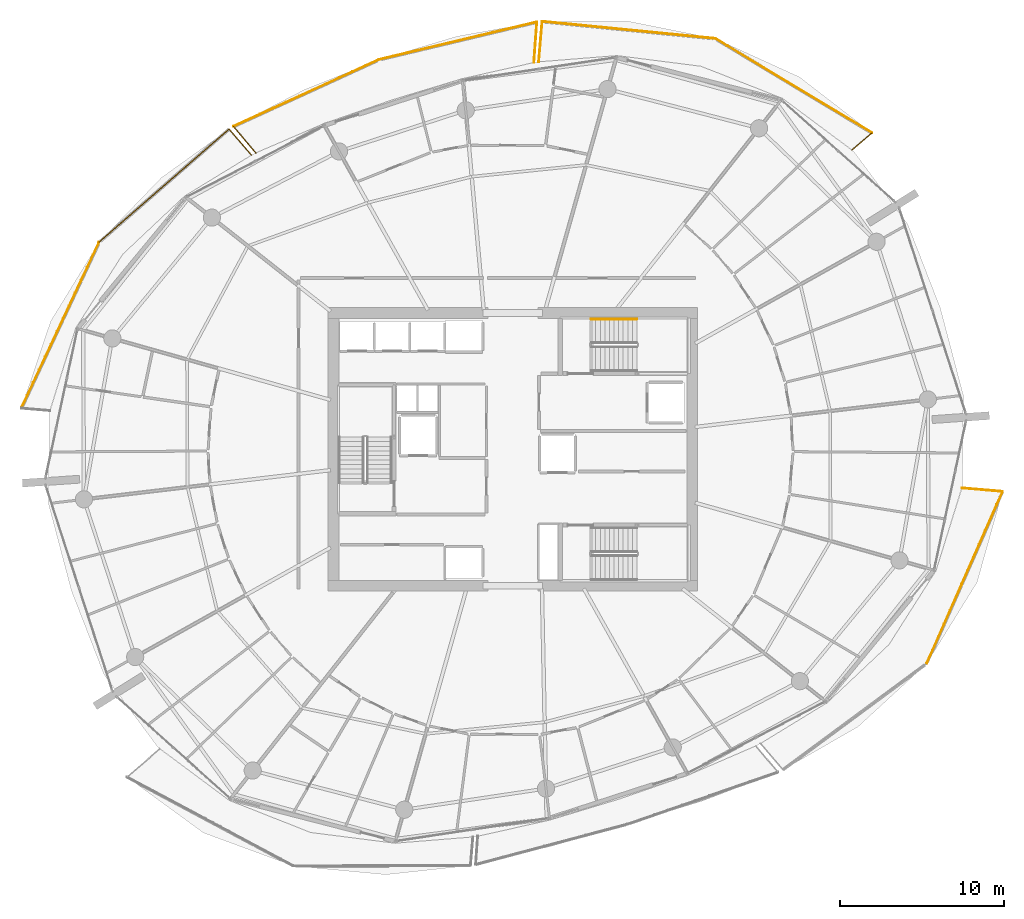
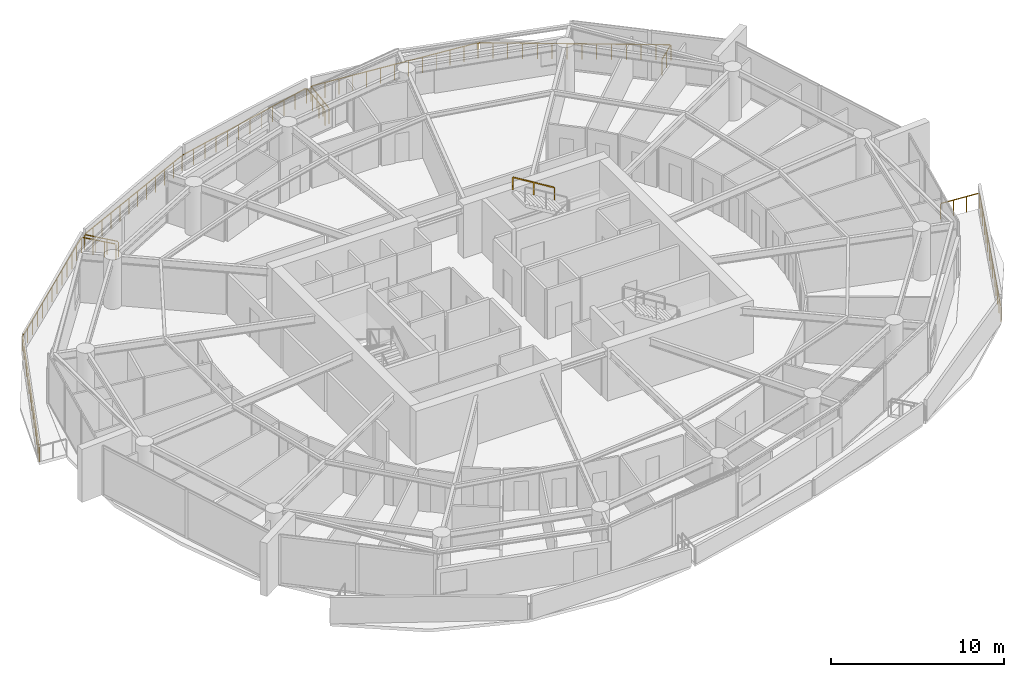
# One storey, part 21 of 21: 14 railings.
"""IFC4 building model written with IfcOpenShell, lengths in metres."""

from ifc_helpers import new_model, si_unit, direction, frame, origin, origin_2d, place, context, subcontext, project, spatial, rectangle, extrude, material, type_object, element, save


model = new_model("IFC4")

# Units and contexts
model_context = context("Model", 3, precision=1e-05, world=origin(), true_north=direction((0.0, 1.0)))
body_context = subcontext(model_context, "Body", "Model", "MODEL_VIEW")
ifc_project = project(units=[si_unit("LENGTHUNIT", "METRE"), si_unit("AREAUNIT", "SQUARE_METRE"), si_unit("VOLUMEUNIT", "CUBIC_METRE"), si_unit("PLANEANGLEUNIT", "RADIAN"), si_unit("MASSUNIT", "GRAM", prefix="KILO")], contexts=[model_context])

# Site, building, storey
site_placement = place(None, origin())
site = spatial("IfcSite", under=ifc_project, at=site_placement, CompositionType="ELEMENT")
building_placement = place(site_placement, origin())
building = spatial("IfcBuilding", under=site, at=building_placement, Name="Kazma Halo Residences", CompositionType="ELEMENT")
storey_placement = place(building_placement, frame((0.0, 0.0, 184.050048828125)))
storey = spatial("IfcBuildingStorey", under=building, at=storey_placement, Name="L46", CompositionType="ELEMENT", Elevation=184.050048828125)

# Railings
ifc_material_1 = material(Name="Aluminium AW-6063 T6 Brushed Cap Rail", Category="aluminium")
railing_type_1 = type_object("IfcRailingType", Name="RLG-BAL-CAP-1120", PredefinedType="BALUSTRADE", material=ifc_material_1)
railing_1_placement = place(storey_placement, frame((69.130126953125, 60.271240234375, 0.0)))
element("IfcRailing", 1, at=railing_1_placement, inside=storey, type_object=railing_type_1, Name="L46 NE wave balcony guard 1", PredefinedType="BALUSTRADE", context=body_context, shape_type="SweptSolid", body=[
    extrude(rectangle(XDim=0.050048828125, YDim=0.050048828125, at=origin_2d()), frame((0.0322265625, 0.02783203125, 1.09521484375), z_axis=(0.75646932185, 0.654029177559, 0.0), x_axis=(-0.654029177559, 0.75646932185, 0.0)), (0.0, 0.0, 1.0), 1.51416015625),
    extrude(rectangle(XDim=0.0400390625, YDim=0.0400390625, at=origin_2d()), origin(), (0.0, 0.0, 1.0), 1.05810546875),
    extrude(rectangle(XDim=0.0400390625, YDim=0.0400390625, at=origin_2d()), frame((0.60498046875, 0.52294921875, 0.0)), (0.0, 0.0, 1.0), 1.05810546875),
    extrude(rectangle(XDim=0.0400390625, YDim=0.0400390625, at=origin_2d()), frame((1.209716796875, 1.0458984375, 0.0)), (0.0, 0.0, 1.0), 1.05810546875),
])
railing_2_placement = place(storey_placement, frame((70.33984375, 61.317138671875, 0.0)))
element("IfcRailing", 2, at=railing_2_placement, inside=storey, type_object=railing_type_1, Name="L46 NE wave balcony guard 2", PredefinedType="BALUSTRADE", context=body_context, shape_type="SweptSolid", body=[
    extrude(rectangle(XDim=0.050048828125, YDim=0.050048828125, at=origin_2d()), frame((-0.036376953125, 0.02197265625, 1.09521484375), z_axis=(-0.856762611856, 0.515710991667, 0.0), x_axis=(-0.515710991667, -0.856762611856, 0.0)), (0.0, 0.0, 1.0), 11.077880859375),
    extrude(rectangle(XDim=0.0400390625, YDim=0.0400390625, at=origin_2d()), origin(), (0.0, 0.0, 1.0), 1.05810546875),
    extrude(rectangle(XDim=0.0400390625, YDim=0.0400390625, at=origin_2d()), frame((-0.735595703125, 0.44287109375, 0.0)), (0.0, 0.0, 1.0), 1.05810546875),
    extrude(rectangle(XDim=0.0400390625, YDim=0.0400390625, at=origin_2d()), frame((-1.471435546875, 0.8857421875, 0.0)), (0.0, 0.0, 1.0), 1.05810546875),
    extrude(rectangle(XDim=0.0400390625, YDim=0.0400390625, at=origin_2d()), frame((-2.20703125, 1.32861328125, 0.0)), (0.0, 0.0, 1.0), 1.05810546875),
    extrude(rectangle(XDim=0.0400390625, YDim=0.0400390625, at=origin_2d()), frame((-2.94287109375, 1.771240234375, 0.0)), (0.0, 0.0, 1.0), 1.05810546875),
    extrude(rectangle(XDim=0.0400390625, YDim=0.0400390625, at=origin_2d()), frame((-3.678466796875, 2.214111328125, 0.0)), (0.0, 0.0, 1.0), 1.05810546875),
    extrude(rectangle(XDim=0.0400390625, YDim=0.0400390625, at=origin_2d()), frame((-4.4140625, 2.656982421875, 0.0)), (0.0, 0.0, 1.0), 1.05810546875),
    extrude(rectangle(XDim=0.0400390625, YDim=0.0400390625, at=origin_2d()), frame((-5.14990234375, 3.099853515625, 0.0)), (0.0, 0.0, 1.0), 1.05810546875),
    extrude(rectangle(XDim=0.0400390625, YDim=0.0400390625, at=origin_2d()), frame((-5.885498046875, 3.542724609375, 0.0)), (0.0, 0.0, 1.0), 1.05810546875),
    extrude(rectangle(XDim=0.0400390625, YDim=0.0400390625, at=origin_2d()), frame((-6.62109375, 3.985595703125, 0.0)), (0.0, 0.0, 1.0), 1.05810546875),
    extrude(rectangle(XDim=0.0400390625, YDim=0.0400390625, at=origin_2d()), frame((-7.35693359375, 4.42822265625, 0.0)), (0.0, 0.0, 1.0), 1.05810546875),
    extrude(rectangle(XDim=0.0400390625, YDim=0.0400390625, at=origin_2d()), frame((-8.092529296875, 4.87109375, 0.0)), (0.0, 0.0, 1.0), 1.05810546875),
    extrude(rectangle(XDim=0.0400390625, YDim=0.0400390625, at=origin_2d()), frame((-8.828369140625, 5.31396484375, 0.0)), (0.0, 0.0, 1.0), 1.05810546875),
    extrude(rectangle(XDim=0.0400390625, YDim=0.0400390625, at=origin_2d()), frame((-9.56396484375, 5.7568359375, 0.0)), (0.0, 0.0, 1.0), 1.05810546875),
])
railing_3_placement = place(storey_placement, frame((60.77587890625, 67.073974609375, 0.0)))
element("IfcRailing", 3, at=railing_3_placement, inside=storey, type_object=railing_type_1, Name="L46 NE wave balcony guard 3", PredefinedType="BALUSTRADE", context=body_context, shape_type="SweptSolid", body=[
    extrude(rectangle(XDim=0.050048828125, YDim=0.050048828125, at=origin_2d()), frame((-0.042236328125, 0.004150390625, 1.09521484375), z_axis=(-0.995155616271, 0.098312254603, 0.0), x_axis=(-0.098312254603, -0.995155616271, 0.0)), (0.0, 0.0, 1.0), 10.526123046875),
    extrude(rectangle(XDim=0.0400390625, YDim=0.0400390625, at=origin_2d()), origin(), (0.0, 0.0, 1.0), 1.05810546875),
    extrude(rectangle(XDim=0.0400390625, YDim=0.0400390625, at=origin_2d()), frame((-0.8798828125, 0.0869140625, 0.0)), (0.0, 0.0, 1.0), 1.05810546875),
    extrude(rectangle(XDim=0.0400390625, YDim=0.0400390625, at=origin_2d()), frame((-1.760009765625, 0.173828125, 0.0)), (0.0, 0.0, 1.0), 1.05810546875),
    extrude(rectangle(XDim=0.0400390625, YDim=0.0400390625, at=origin_2d()), frame((-2.639892578125, 0.2607421875, 0.0)), (0.0, 0.0, 1.0), 1.05810546875),
    extrude(rectangle(XDim=0.0400390625, YDim=0.0400390625, at=origin_2d()), frame((-3.52001953125, 0.34765625, 0.0)), (0.0, 0.0, 1.0), 1.05810546875),
    extrude(rectangle(XDim=0.0400390625, YDim=0.0400390625, at=origin_2d()), frame((-4.39990234375, 0.4345703125, 0.0)), (0.0, 0.0, 1.0), 1.05810546875),
    extrude(rectangle(XDim=0.0400390625, YDim=0.0400390625, at=origin_2d()), frame((-5.27978515625, 0.521484375, 0.0)), (0.0, 0.0, 1.0), 1.05810546875),
    extrude(rectangle(XDim=0.0400390625, YDim=0.0400390625, at=origin_2d()), frame((-6.159912109375, 0.608642578125, 0.0)), (0.0, 0.0, 1.0), 1.05810546875),
    extrude(rectangle(XDim=0.0400390625, YDim=0.0400390625, at=origin_2d()), frame((-7.039794921875, 0.695556640625, 0.0)), (0.0, 0.0, 1.0), 1.05810546875),
    extrude(rectangle(XDim=0.0400390625, YDim=0.0400390625, at=origin_2d()), frame((-7.919921875, 0.782470703125, 0.0)), (0.0, 0.0, 1.0), 1.05810546875),
    extrude(rectangle(XDim=0.0400390625, YDim=0.0400390625, at=origin_2d()), frame((-8.7998046875, 0.869384765625, 0.0)), (0.0, 0.0, 1.0), 1.05810546875),
    extrude(rectangle(XDim=0.0400390625, YDim=0.0400390625, at=origin_2d()), frame((-9.679931640625, 0.956298828125, 0.0)), (0.0, 0.0, 1.0), 1.05810546875),
    extrude(rectangle(XDim=0.0400390625, YDim=0.0400390625, at=origin_2d()), frame((-10.559814453125, 1.043212890625, 0.0)), (0.0, 0.0, 1.0), 1.05810546875),
])
railing_4_placement = place(storey_placement, frame((50.216064453125, 68.1171875, 0.0)))
element("IfcRailing", 4, at=railing_4_placement, inside=storey, type_object=railing_type_1, Name="L46 NE wave balcony guard 4", PredefinedType="BALUSTRADE", context=body_context, shape_type="SweptSolid", body=[
    extrude(rectangle(XDim=0.050048828125, YDim=0.050048828125, at=origin_2d()), frame((-0.003662109375, -0.04248046875, 1.09521484375), z_axis=(-0.084607744457, -0.996414336297, 0.0), x_axis=(0.996414336297, -0.084607744457, 0.0)), (0.0, 0.0, 1.0), 2.385009765625),
    extrude(rectangle(XDim=0.0400390625, YDim=0.0400390625, at=origin_2d()), origin(), (0.0, 0.0, 1.0), 1.05810546875),
    extrude(rectangle(XDim=0.0400390625, YDim=0.0400390625, at=origin_2d()), frame((-0.069580078125, -0.8203125, 0.0)), (0.0, 0.0, 1.0), 1.05810546875),
    extrude(rectangle(XDim=0.0400390625, YDim=0.0400390625, at=origin_2d()), frame((-0.139404296875, -1.640869140625, 0.0)), (0.0, 0.0, 1.0), 1.05810546875),
    extrude(rectangle(XDim=0.0400390625, YDim=0.0400390625, at=origin_2d()), frame((-0.208984375, -2.461181640625, 0.0)), (0.0, 0.0, 1.0), 1.05810546875),
])
railing_5_placement = place(storey_placement, frame((49.713134765625, 65.612060546875, 0.0)))
element("IfcRailing", 5, at=railing_5_placement, inside=storey, type_object=railing_type_1, Name="L46 NNW wave balcony guard 1", PredefinedType="BALUSTRADE", context=body_context, shape_type="SweptSolid", body=[
    extrude(rectangle(XDim=0.050048828125, YDim=0.050048828125, at=origin_2d()), frame((0.003173828125, 0.04248046875, 1.09521484375), z_axis=(0.072387851321, 0.997376558267, 0.0), x_axis=(-0.997376558267, 0.072387851321, 0.0)), (0.0, 0.0, 1.0), 2.393798828125),
    extrude(rectangle(XDim=0.0400390625, YDim=0.0400390625, at=origin_2d()), origin(), (0.0, 0.0, 1.0), 1.05810546875),
    extrude(rectangle(XDim=0.0400390625, YDim=0.0400390625, at=origin_2d()), frame((0.059814453125, 0.82421875, 0.0)), (0.0, 0.0, 1.0), 1.05810546875),
    extrude(rectangle(XDim=0.0400390625, YDim=0.0400390625, at=origin_2d()), frame((0.11962890625, 1.648193359375, 0.0)), (0.0, 0.0, 1.0), 1.05810546875),
    extrude(rectangle(XDim=0.0400390625, YDim=0.0400390625, at=origin_2d()), frame((0.179443359375, 2.472412109375, 0.0)), (0.0, 0.0, 1.0), 1.05810546875),
])
railing_6_placement = place(storey_placement, frame((49.892578125, 68.08447265625, 0.0)))
element("IfcRailing", 6, at=railing_6_placement, inside=storey, type_object=railing_type_1, Name="L46 NNW wave balcony guard 2", PredefinedType="BALUSTRADE", context=body_context, shape_type="SweptSolid", body=[
    extrude(rectangle(XDim=0.050048828125, YDim=0.050048828125, at=origin_2d()), frame((-0.04150390625, -0.009765625, 1.09521484375), z_axis=(-0.972746600398, -0.231870764468, 0.0), x_axis=(0.231870764468, -0.972746600398, 0.0)), (0.0, 0.0, 1.0), 9.80712890625),
    extrude(rectangle(XDim=0.0400390625, YDim=0.0400390625, at=origin_2d()), origin(), (0.0, 0.0, 1.0), 1.05810546875),
    extrude(rectangle(XDim=0.0400390625, YDim=0.0400390625, at=origin_2d()), frame((-0.874755859375, -0.20849609375, 0.0)), (0.0, 0.0, 1.0), 1.05810546875),
    extrude(rectangle(XDim=0.0400390625, YDim=0.0400390625, at=origin_2d()), frame((-1.74951171875, -0.4169921875, 0.0)), (0.0, 0.0, 1.0), 1.05810546875),
    extrude(rectangle(XDim=0.0400390625, YDim=0.0400390625, at=origin_2d()), frame((-2.624267578125, -0.62548828125, 0.0)), (0.0, 0.0, 1.0), 1.05810546875),
    extrude(rectangle(XDim=0.0400390625, YDim=0.0400390625, at=origin_2d()), frame((-3.4990234375, -0.833984375, 0.0)), (0.0, 0.0, 1.0), 1.05810546875),
    extrude(rectangle(XDim=0.0400390625, YDim=0.0400390625, at=origin_2d()), frame((-4.373779296875, -1.04248046875, 0.0)), (0.0, 0.0, 1.0), 1.05810546875),
    extrude(rectangle(XDim=0.0400390625, YDim=0.0400390625, at=origin_2d()), frame((-5.248779296875, -1.251220703125, 0.0)), (0.0, 0.0, 1.0), 1.05810546875),
    extrude(rectangle(XDim=0.0400390625, YDim=0.0400390625, at=origin_2d()), frame((-6.12353515625, -1.459716796875, 0.0)), (0.0, 0.0, 1.0), 1.05810546875),
    extrude(rectangle(XDim=0.0400390625, YDim=0.0400390625, at=origin_2d()), frame((-6.998291015625, -1.668212890625, 0.0)), (0.0, 0.0, 1.0), 1.05810546875),
    extrude(rectangle(XDim=0.0400390625, YDim=0.0400390625, at=origin_2d()), frame((-7.873046875, -1.876708984375, 0.0)), (0.0, 0.0, 1.0), 1.05810546875),
    extrude(rectangle(XDim=0.0400390625, YDim=0.0400390625, at=origin_2d()), frame((-8.747802734375, -2.085205078125, 0.0)), (0.0, 0.0, 1.0), 1.05810546875),
    extrude(rectangle(XDim=0.0400390625, YDim=0.0400390625, at=origin_2d()), frame((-9.62255859375, -2.293701171875, 0.0)), (0.0, 0.0, 1.0), 1.05810546875),
])
railing_7_placement = place(storey_placement, frame((40.27001953125, 65.790771484375, 0.0)))
element("IfcRailing", 7, at=railing_7_placement, inside=storey, type_object=railing_type_1, Name="L46 NNW wave balcony guard 3", PredefinedType="BALUSTRADE", context=body_context, shape_type="SweptSolid", body=[
    extrude(rectangle(XDim=0.050048828125, YDim=0.050048828125, at=origin_2d()), frame((-0.03857421875, -0.017822265625, 1.09521484375), z_axis=(-0.909021519083, -0.416749178576, 0.0), x_axis=(0.416749178576, -0.909021519083, 0.0)), (0.0, 0.0, 1.0), 9.703369140625),
    extrude(rectangle(XDim=0.0400390625, YDim=0.0400390625, at=origin_2d()), origin(), (0.0, 0.0, 1.0), 1.05810546875),
    extrude(rectangle(XDim=0.0400390625, YDim=0.0400390625, at=origin_2d()), frame((-0.808837890625, -0.370849609375, 0.0)), (0.0, 0.0, 1.0), 1.05810546875),
    extrude(rectangle(XDim=0.0400390625, YDim=0.0400390625, at=origin_2d()), frame((-1.617919921875, -0.74169921875, 0.0)), (0.0, 0.0, 1.0), 1.05810546875),
    extrude(rectangle(XDim=0.0400390625, YDim=0.0400390625, at=origin_2d()), frame((-2.4267578125, -1.112548828125, 0.0)), (0.0, 0.0, 1.0), 1.05810546875),
    extrude(rectangle(XDim=0.0400390625, YDim=0.0400390625, at=origin_2d()), frame((-3.235595703125, -1.4833984375, 0.0)), (0.0, 0.0, 1.0), 1.05810546875),
    extrude(rectangle(XDim=0.0400390625, YDim=0.0400390625, at=origin_2d()), frame((-4.04443359375, -1.854248046875, 0.0)), (0.0, 0.0, 1.0), 1.05810546875),
    extrude(rectangle(XDim=0.0400390625, YDim=0.0400390625, at=origin_2d()), frame((-4.853515625, -2.22509765625, 0.0)), (0.0, 0.0, 1.0), 1.05810546875),
    extrude(rectangle(XDim=0.0400390625, YDim=0.0400390625, at=origin_2d()), frame((-5.662353515625, -2.595947265625, 0.0)), (0.0, 0.0, 1.0), 1.05810546875),
    extrude(rectangle(XDim=0.0400390625, YDim=0.0400390625, at=origin_2d()), frame((-6.47119140625, -2.966796875, 0.0)), (0.0, 0.0, 1.0), 1.05810546875),
    extrude(rectangle(XDim=0.0400390625, YDim=0.0400390625, at=origin_2d()), frame((-7.280029296875, -3.337646484375, 0.0)), (0.0, 0.0, 1.0), 1.05810546875),
    extrude(rectangle(XDim=0.0400390625, YDim=0.0400390625, at=origin_2d()), frame((-8.089111328125, -3.70849609375, 0.0)), (0.0, 0.0, 1.0), 1.05810546875),
    extrude(rectangle(XDim=0.0400390625, YDim=0.0400390625, at=origin_2d()), frame((-8.89794921875, -4.079345703125, 0.0)), (0.0, 0.0, 1.0), 1.05810546875),
])
railing_8_placement = place(storey_placement, frame((31.3720703125, 61.71142578125, 0.0)))
element("IfcRailing", 8, at=railing_8_placement, inside=storey, type_object=railing_type_1, Name="L46 NNW wave balcony guard 4", PredefinedType="BALUSTRADE", context=body_context, shape_type="SweptSolid", body=[
    extrude(rectangle(XDim=0.050048828125, YDim=0.050048828125, at=origin_2d()), frame((0.02734375, -0.032470703125, 1.09521484375), z_axis=(0.644750769237, -0.764392860752, 0.0), x_axis=(0.764392860752, 0.644750769237, 0.0)), (0.0, 0.0, 1.0), 2.029052734375),
    extrude(rectangle(XDim=0.0400390625, YDim=0.0400390625, at=origin_2d()), origin(), (0.0, 0.0, 1.0), 1.05810546875),
    extrude(rectangle(XDim=0.0400390625, YDim=0.0400390625, at=origin_2d()), frame((0.454345703125, -0.53857421875, 0.0)), (0.0, 0.0, 1.0), 1.05810546875),
    extrude(rectangle(XDim=0.0400390625, YDim=0.0400390625, at=origin_2d()), frame((0.90869140625, -1.077392578125, 0.0)), (0.0, 0.0, 1.0), 1.05810546875),
    extrude(rectangle(XDim=0.0400390625, YDim=0.0400390625, at=origin_2d()), frame((1.363037109375, -1.615966796875, 0.0)), (0.0, 0.0, 1.0), 1.05810546875),
])
railing_9_placement = place(storey_placement, frame((32.471435546875, 59.958251953125, 0.0)))
element("IfcRailing", 9, at=railing_9_placement, inside=storey, type_object=railing_type_1, Name="L46 NW wave balcony guard 1", PredefinedType="BALUSTRADE", context=body_context, shape_type="SweptSolid", body=[
    extrude(rectangle(XDim=0.050048828125, YDim=0.050048828125, at=origin_2d()), frame((-0.02783203125, 0.0322265625, 1.09521484375), z_axis=(-0.654089003035, 0.756417593733, 0.0), x_axis=(-0.756417593733, -0.654089003035, 0.0)), (0.0, 0.0, 1.0), 2.014404296875),
    extrude(rectangle(XDim=0.0400390625, YDim=0.0400390625, at=origin_2d()), origin(), (0.0, 0.0, 1.0), 1.05810546875),
    extrude(rectangle(XDim=0.0400390625, YDim=0.0400390625, at=origin_2d()), frame((-0.457763671875, 0.529296875, 0.0)), (0.0, 0.0, 1.0), 1.05810546875),
    extrude(rectangle(XDim=0.0400390625, YDim=0.0400390625, at=origin_2d()), frame((-0.91552734375, 1.058837890625, 0.0)), (0.0, 0.0, 1.0), 1.05810546875),
    extrude(rectangle(XDim=0.0400390625, YDim=0.0400390625, at=origin_2d()), frame((-1.373291015625, 1.588134765625, 0.0)), (0.0, 0.0, 1.0), 1.05810546875),
])
railing_10_placement = place(storey_placement, frame((31.09814453125, 61.54638671875, 0.0)))
element("IfcRailing", 10, at=railing_10_placement, inside=storey, type_object=railing_type_1, Name="L46 NW wave balcony guard 2", PredefinedType="BALUSTRADE", context=body_context, shape_type="SweptSolid", body=[
    extrude(rectangle(XDim=0.050048828125, YDim=0.050048828125, at=origin_2d()), frame((-0.031982421875, -0.02783203125, 1.09521484375), z_axis=(-0.754132466244, -0.65672233353, 0.0), x_axis=(0.65672233353, -0.754132466244, 0.0)), (0.0, 0.0, 1.0), 10.4189453125),
    extrude(rectangle(XDim=0.0400390625, YDim=0.0400390625, at=origin_2d()), origin(), (0.0, 0.0, 1.0), 1.05810546875),
    extrude(rectangle(XDim=0.0400390625, YDim=0.0400390625, at=origin_2d()), frame((-0.66015625, -0.574951171875, 0.0)), (0.0, 0.0, 1.0), 1.05810546875),
    extrude(rectangle(XDim=0.0400390625, YDim=0.0400390625, at=origin_2d()), frame((-1.3203125, -1.149658203125, 0.0)), (0.0, 0.0, 1.0), 1.05810546875),
    extrude(rectangle(XDim=0.0400390625, YDim=0.0400390625, at=origin_2d()), frame((-1.98046875, -1.724609375, 0.0)), (0.0, 0.0, 1.0), 1.05810546875),
    extrude(rectangle(XDim=0.0400390625, YDim=0.0400390625, at=origin_2d()), frame((-2.640380859375, -2.29931640625, 0.0)), (0.0, 0.0, 1.0), 1.05810546875),
    extrude(rectangle(XDim=0.0400390625, YDim=0.0400390625, at=origin_2d()), frame((-3.300537109375, -2.874267578125, 0.0)), (0.0, 0.0, 1.0), 1.05810546875),
    extrude(rectangle(XDim=0.0400390625, YDim=0.0400390625, at=origin_2d()), frame((-3.960693359375, -3.44921875, 0.0)), (0.0, 0.0, 1.0), 1.05810546875),
    extrude(rectangle(XDim=0.0400390625, YDim=0.0400390625, at=origin_2d()), frame((-4.620849609375, -4.02392578125, 0.0)), (0.0, 0.0, 1.0), 1.05810546875),
    extrude(rectangle(XDim=0.0400390625, YDim=0.0400390625, at=origin_2d()), frame((-5.281005859375, -4.598876953125, 0.0)), (0.0, 0.0, 1.0), 1.05810546875),
    extrude(rectangle(XDim=0.0400390625, YDim=0.0400390625, at=origin_2d()), frame((-5.94091796875, -5.173583984375, 0.0)), (0.0, 0.0, 1.0), 1.05810546875),
    extrude(rectangle(XDim=0.0400390625, YDim=0.0400390625, at=origin_2d()), frame((-6.60107421875, -5.74853515625, 0.0)), (0.0, 0.0, 1.0), 1.05810546875),
    extrude(rectangle(XDim=0.0400390625, YDim=0.0400390625, at=origin_2d()), frame((-7.26123046875, -6.3232421875, 0.0)), (0.0, 0.0, 1.0), 1.05810546875),
    extrude(rectangle(XDim=0.0400390625, YDim=0.0400390625, at=origin_2d()), frame((-7.92138671875, -6.898193359375, 0.0)), (0.0, 0.0, 1.0), 1.05810546875),
])
railing_11_placement = place(storey_placement, frame((23.1767578125, 54.648193359375, 0.0)))
element("IfcRailing", 11, at=railing_11_placement, inside=storey, type_object=railing_type_1, Name="L46 NW wave balcony guard 3", PredefinedType="BALUSTRADE", context=body_context, shape_type="SweptSolid", body=[
    extrude(rectangle(XDim=0.050048828125, YDim=0.050048828125, at=origin_2d()), frame((-0.01806640625, -0.03857421875, 1.09521484375), z_axis=(-0.424188601935, -0.90557386777, 0.0), x_axis=(0.90557386777, -0.424188601935, 0.0)), (0.0, 0.0, 1.0), 11.111083984375),
    extrude(rectangle(XDim=0.0400390625, YDim=0.0400390625, at=origin_2d()), origin(), (0.0, 0.0, 1.0), 1.05810546875),
    extrude(rectangle(XDim=0.0400390625, YDim=0.0400390625, at=origin_2d()), frame((-0.365234375, -0.780029296875, 0.0)), (0.0, 0.0, 1.0), 1.05810546875),
    extrude(rectangle(XDim=0.0400390625, YDim=0.0400390625, at=origin_2d()), frame((-0.730712890625, -1.559814453125, 0.0)), (0.0, 0.0, 1.0), 1.05810546875),
    extrude(rectangle(XDim=0.0400390625, YDim=0.0400390625, at=origin_2d()), frame((-1.095947265625, -2.33984375, 0.0)), (0.0, 0.0, 1.0), 1.05810546875),
    extrude(rectangle(XDim=0.0400390625, YDim=0.0400390625, at=origin_2d()), frame((-1.46142578125, -3.11962890625, 0.0)), (0.0, 0.0, 1.0), 1.05810546875),
    extrude(rectangle(XDim=0.0400390625, YDim=0.0400390625, at=origin_2d()), frame((-1.82666015625, -3.899658203125, 0.0)), (0.0, 0.0, 1.0), 1.05810546875),
    extrude(rectangle(XDim=0.0400390625, YDim=0.0400390625, at=origin_2d()), frame((-2.19189453125, -4.679443359375, 0.0)), (0.0, 0.0, 1.0), 1.05810546875),
    extrude(rectangle(XDim=0.0400390625, YDim=0.0400390625, at=origin_2d()), frame((-2.557373046875, -5.45947265625, 0.0)), (0.0, 0.0, 1.0), 1.05810546875),
    extrude(rectangle(XDim=0.0400390625, YDim=0.0400390625, at=origin_2d()), frame((-2.922607421875, -6.2392578125, 0.0)), (0.0, 0.0, 1.0), 1.05810546875),
    extrude(rectangle(XDim=0.0400390625, YDim=0.0400390625, at=origin_2d()), frame((-3.287841796875, -7.019287109375, 0.0)), (0.0, 0.0, 1.0), 1.05810546875),
    extrude(rectangle(XDim=0.0400390625, YDim=0.0400390625, at=origin_2d()), frame((-3.6533203125, -7.799072265625, 0.0)), (0.0, 0.0, 1.0), 1.05810546875),
    extrude(rectangle(XDim=0.0400390625, YDim=0.0400390625, at=origin_2d()), frame((-4.0185546875, -8.5791015625, 0.0)), (0.0, 0.0, 1.0), 1.05810546875),
    extrude(rectangle(XDim=0.0400390625, YDim=0.0400390625, at=origin_2d()), frame((-4.384033203125, -9.35888671875, 0.0)), (0.0, 0.0, 1.0), 1.05810546875),
    extrude(rectangle(XDim=0.0400390625, YDim=0.0400390625, at=origin_2d()), frame((-4.749267578125, -10.138916015625, 0.0)), (0.0, 0.0, 1.0), 1.05810546875),
])
railing_12_placement = place(storey_placement, frame((73.679443359375, 28.915771484375, 0.0)))
element("IfcRailing", 12, at=railing_12_placement, inside=storey, type_object=railing_type_1, Name="L46 SE wave balcony guard 3", PredefinedType="BALUSTRADE", context=body_context, shape_type="SweptSolid", body=[
    extrude(rectangle(XDim=0.050048828125, YDim=0.050048828125, at=origin_2d()), frame((0.01708984375, 0.038818359375, 1.09521484375), z_axis=(0.403759476519, 0.914865173193, 0.0), x_axis=(-0.914865173193, 0.403759476519, 0.0)), (0.0, 0.0, 1.0), 11.40478515625),
    extrude(rectangle(XDim=0.0400390625, YDim=0.0400390625, at=origin_2d()), origin(), (0.0, 0.0, 1.0), 1.05810546875),
    extrude(rectangle(XDim=0.0400390625, YDim=0.0400390625, at=origin_2d()), frame((0.35693359375, 0.80859375, 0.0)), (0.0, 0.0, 1.0), 1.05810546875),
    extrude(rectangle(XDim=0.0400390625, YDim=0.0400390625, at=origin_2d()), frame((0.713623046875, 1.6171875, 0.0)), (0.0, 0.0, 1.0), 1.05810546875),
    extrude(rectangle(XDim=0.0400390625, YDim=0.0400390625, at=origin_2d()), frame((1.070556640625, 2.42578125, 0.0)), (0.0, 0.0, 1.0), 1.05810546875),
    extrude(rectangle(XDim=0.0400390625, YDim=0.0400390625, at=origin_2d()), frame((1.427490234375, 3.234375, 0.0)), (0.0, 0.0, 1.0), 1.05810546875),
    extrude(rectangle(XDim=0.0400390625, YDim=0.0400390625, at=origin_2d()), frame((1.7841796875, 4.04296875, 0.0)), (0.0, 0.0, 1.0), 1.05810546875),
    extrude(rectangle(XDim=0.0400390625, YDim=0.0400390625, at=origin_2d()), frame((2.14111328125, 4.8515625, 0.0)), (0.0, 0.0, 1.0), 1.05810546875),
    extrude(rectangle(XDim=0.0400390625, YDim=0.0400390625, at=origin_2d()), frame((2.498046875, 5.66015625, 0.0)), (0.0, 0.0, 1.0), 1.05810546875),
    extrude(rectangle(XDim=0.0400390625, YDim=0.0400390625, at=origin_2d()), frame((2.85498046875, 6.46875, 0.0)), (0.0, 0.0, 1.0), 1.05810546875),
    extrude(rectangle(XDim=0.0400390625, YDim=0.0400390625, at=origin_2d()), frame((3.211669921875, 7.27734375, 0.0)), (0.0, 0.0, 1.0), 1.05810546875),
    extrude(rectangle(XDim=0.0400390625, YDim=0.0400390625, at=origin_2d()), frame((3.568603515625, 8.0859375, 0.0)), (0.0, 0.0, 1.0), 1.05810546875),
    extrude(rectangle(XDim=0.0400390625, YDim=0.0400390625, at=origin_2d()), frame((3.925537109375, 8.89453125, 0.0)), (0.0, 0.0, 1.0), 1.05810546875),
    extrude(rectangle(XDim=0.0400390625, YDim=0.0400390625, at=origin_2d()), frame((4.2822265625, 9.703125, 0.0)), (0.0, 0.0, 1.0), 1.05810546875),
    extrude(rectangle(XDim=0.0400390625, YDim=0.0400390625, at=origin_2d()), frame((4.63916015625, 10.51171875, 0.0)), (0.0, 0.0, 1.0), 1.05810546875),
])
railing_13_placement = place(storey_placement, frame((78.318603515625, 39.427490234375, 0.0)))
element("IfcRailing", 13, at=railing_13_placement, inside=storey, type_object=railing_type_1, Name="L46 SE wave balcony guard 4", PredefinedType="BALUSTRADE", context=body_context, shape_type="SweptSolid", body=[
    extrude(rectangle(XDim=0.050048828125, YDim=0.050048828125, at=origin_2d()), frame((-0.04248046875, 0.003662109375, 1.09521484375), z_axis=(-0.996423136174, 0.084504045452, 0.0), x_axis=(-0.084504045452, -0.996423136174, 0.0)), (0.0, 0.0, 1.0), 2.408203125),
    extrude(rectangle(XDim=0.0400390625, YDim=0.0400390625, at=origin_2d()), origin(), (0.0, 0.0, 1.0), 1.05810546875),
    extrude(rectangle(XDim=0.0400390625, YDim=0.0400390625, at=origin_2d()), frame((-0.828125, 0.0703125, 0.0)), (0.0, 0.0, 1.0), 1.05810546875),
    extrude(rectangle(XDim=0.0400390625, YDim=0.0400390625, at=origin_2d()), frame((-1.65625, 0.140380859375, 0.0)), (0.0, 0.0, 1.0), 1.05810546875),
    extrude(rectangle(XDim=0.0400390625, YDim=0.0400390625, at=origin_2d()), frame((-2.484375, 0.210693359375, 0.0)), (0.0, 0.0, 1.0), 1.05810546875),
])
ifc_material_2 = material(Name="Brushed Stainless Steel", Category="steel")
railing_type_2 = type_object("IfcRailingType", Name="RLG-STAIR-HND-900", PredefinedType="HANDRAIL", material=ifc_material_2)
railing_14_placement = place(storey_placement, frame((56.0, 49.949951171875, 2.04541015625)))
element("IfcRailing", 14, at=railing_14_placement, inside=storey, type_object=railing_type_2, Name="L46 ST-02 stair handrail 2", PredefinedType="HANDRAIL", context=body_context, shape_type="SweptSolid", body=[
    extrude(rectangle(XDim=0.050048828125, YDim=0.050048828125, at=origin_2d()), frame((-0.036376953125, 0.0, 0.89697265625), z_axis=(-0.854169791009, 0.0, 0.51999420009), x_axis=(0.0, -1.0, 0.0)), (0.0, 0.0, 1.0), 3.193115234375),
    extrude(rectangle(XDim=0.0400390625, YDim=0.0400390625, at=origin_2d()), origin(), (0.0, 0.0, 1.0), 0.837890625),
    extrude(rectangle(XDim=0.0400390625, YDim=0.0400390625, at=origin_2d()), frame((-1.39990234375, 0.0, 0.852294921875)), (0.0, 0.0, 1.0), 0.837890625),
    extrude(rectangle(XDim=0.0400390625, YDim=0.0400390625, at=origin_2d()), frame((-2.800048828125, 0.0, 1.70458984375)), (0.0, 0.0, 1.0), 0.837890625),
])

save(model, "model.ifc")
